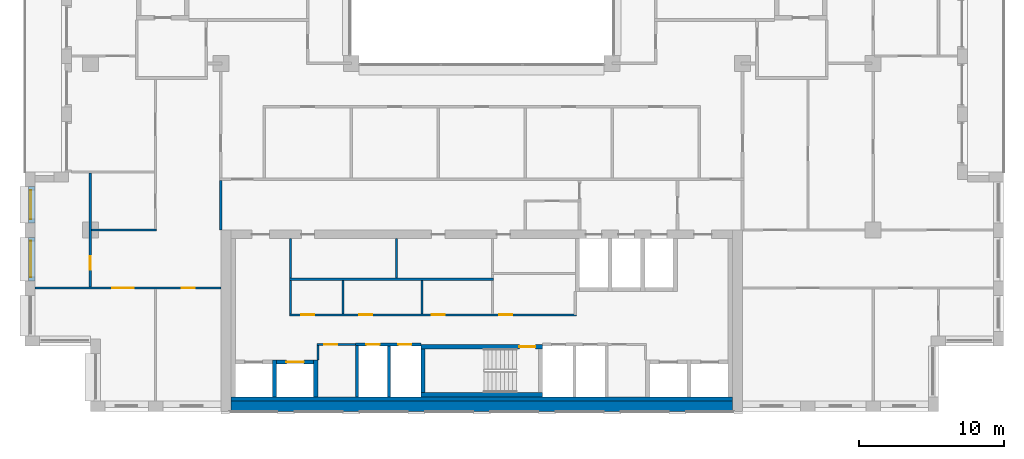
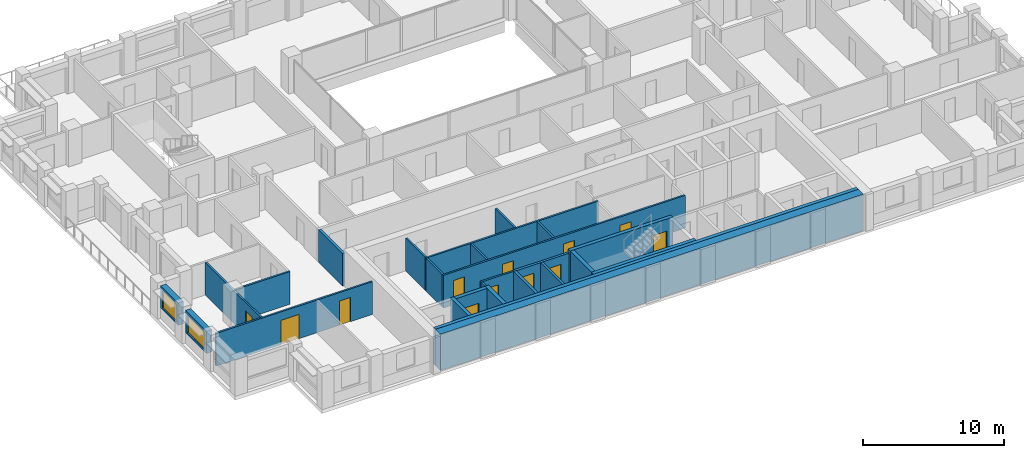
# One storey, part 8 of 16: 26 walls, 12 doors, 2 windows, 14 openings.
"""IFC4 building model written with IfcOpenShell, lengths in metres."""

from ifc_helpers import new_model, si_unit, direction, frame, frame_2d, origin, place, context, subcontext, project, spatial, rectangle, extrude, material, layer, layer_set, type_object, element, fill, save


model = new_model("IFC4")

# Units and contexts
model_context = context("Model", 3, precision=1e-05, world=origin(), true_north=direction((0.0, 1.0)))
body_context = subcontext(model_context, "Body", "Model", "MODEL_VIEW")
ifc_project = project(units=[si_unit("LENGTHUNIT", "METRE"), si_unit("AREAUNIT", "SQUARE_METRE"), si_unit("VOLUMEUNIT", "CUBIC_METRE"), si_unit("PLANEANGLEUNIT", "RADIAN"), si_unit("MASSUNIT", "GRAM", prefix="KILO")], contexts=[model_context])

# Site, building, storey
site_placement = place(None, origin())
site = spatial("IfcSite", under=ifc_project, at=site_placement, CompositionType="ELEMENT")
building_placement = place(site_placement, origin())
building = spatial("IfcBuilding", under=site, at=building_placement, Name="Brigalow Station Residences", CompositionType="ELEMENT")
storey_placement = place(building_placement, frame((0.0, 0.0, 163.35009765625)))
storey = spatial("IfcBuildingStorey", under=building, at=storey_placement, Name="L47", CompositionType="ELEMENT", Elevation=163.35009765625)

# Wall, opening, window
ifc_material_1 = material(Name="Clay brick masonry", Category="masonry")
ifc_layer_1 = layer(ifc_material_1, 0.449951171875)
ifc_layer_set_1 = layer_set([ifc_layer_1], Name="BRICK INFILL WALL 450")
wall_type_1 = type_object("IfcWallType", Name="BRICK INFILL WALL 450", PredefinedType="SOLIDWALL", material=ifc_layer_set_1)
wall_1_placement = place(storey_placement, frame((4.97509765625, 15.5, 0.89990234375), z_axis=(0.0, 0.0, 1.0), x_axis=(0.0, -1.0, 0.0)))
wall_1 = element("IfcWall", 1, at=wall_1_placement, inside=storey, type_object=wall_type_1, Name="L47/ewall/W-L47-45", PredefinedType="SOLIDWALL", context=body_context, shape_type="SweptSolid", body=[
    extrude(rectangle(XDim=2.5, YDim=0.449951171875, at=frame_2d((1.25, 0.0))), origin(), (0.0, 0.0, 1.0), 1.929931640625),
])
opening_1_placement = place(wall_1_placement, frame((0.25, 0.0, 0.14990234375)))
opening_1 = element("IfcOpeningElement", 2, at=opening_1_placement, cuts=wall_1, Name="Opening WT-7", PredefinedType="OPENING", context=body_context, shape_type="SweptSolid", body=[
    extrude(rectangle(XDim=2.0, YDim=1.5, at=frame_2d((1.0, 0.75))), frame((0.0, 0.23486328125, 0.0), z_axis=(0.0, -1.0, 0.0), x_axis=(1.0, 0.0, 0.0)), (0.0, 0.0, 1.0), 0.469970703125),
])
ifc_material_2 = material(Name="Anodised aluminium frame with double glazing", Category="aluminium")
window_type_1 = type_object("IfcWindowType", Name="WINDOW 2000x1500", PartitioningType="SINGLE_PANEL", PredefinedType="WINDOW", material=ifc_material_2)
window_1_placement = place(opening_1_placement, origin())
window_1 = element("IfcWindow", 3, at=window_1_placement, inside=storey, type_object=window_type_1, Name="L47/window/W-L47-45", OverallHeight=1.5, OverallWidth=2.0, PartitioningType="SINGLE_PANEL", PredefinedType="WINDOW", context=body_context, shape_type="SweptSolid", body=[
    extrude(rectangle(XDim=2.0, YDim=1.5, at=frame_2d((1.0, 0.75))), frame((0.0, -0.06494140625, 0.0), z_axis=(0.0, -1.0, 0.0), x_axis=(1.0, 0.0, 0.0)), (0.0, 0.0, 1.0), 0.06005859375),
])
fill(opening_1, window_1)

wall_2_placement = place(storey_placement, frame((4.97509765625, 12.0, 0.89990234375), z_axis=(0.0, 0.0, 1.0), x_axis=(0.0, -1.0, 0.0)))
wall_2 = element("IfcWall", 4, at=wall_2_placement, inside=storey, type_object=wall_type_1, Name="L47/ewall/W-L47-46", PredefinedType="SOLIDWALL", context=body_context, shape_type="SweptSolid", body=[
    extrude(rectangle(XDim=3.0, YDim=0.449951171875, at=frame_2d((1.5, 0.0))), origin(), (0.0, 0.0, 1.0), 1.929931640625),
])
opening_2_placement = place(wall_2_placement, frame((0.25, 0.0, 0.14990234375)))
opening_2 = element("IfcOpeningElement", 5, at=opening_2_placement, cuts=wall_2, Name="Opening WT-5", PredefinedType="OPENING", context=body_context, shape_type="SweptSolid", body=[
    extrude(rectangle(XDim=2.5, YDim=1.5, at=frame_2d((1.25, 0.75))), frame((0.0, 0.23486328125, 0.0), z_axis=(0.0, -1.0, 0.0), x_axis=(1.0, 0.0, 0.0)), (0.0, 0.0, 1.0), 0.469970703125),
])
ifc_material_3 = material(Name="Anodised aluminium frame with double glazing", Category="aluminium")
window_type_2 = type_object("IfcWindowType", Name="WINDOW 2500x1500", PartitioningType="SINGLE_PANEL", PredefinedType="WINDOW", material=ifc_material_3)
window_2_placement = place(opening_2_placement, origin())
window_2 = element("IfcWindow", 6, at=window_2_placement, inside=storey, type_object=window_type_2, Name="L47/window/W-L47-46", OverallHeight=1.5, OverallWidth=2.5, PartitioningType="SINGLE_PANEL", PredefinedType="WINDOW", context=body_context, shape_type="SweptSolid", body=[
    extrude(rectangle(XDim=2.5, YDim=1.5, at=frame_2d((1.25, 0.75))), frame((0.0, -0.06494140625, 0.0), z_axis=(0.0, -1.0, 0.0), x_axis=(1.0, 0.0, 0.0)), (0.0, 0.0, 1.0), 0.06005859375),
])
fill(opening_2, window_2)

# Wall
ifc_material_4 = material(Name="Concrete C65", Category="concrete")
ifc_layer_2 = layer(ifc_material_4, 0.300048828125)
ifc_layer_set_2 = layer_set([ifc_layer_2], Name="CORE SHEAR WALL 300 C65")
wall_type_2 = type_object("IfcWallType", Name="CORE SHEAR WALL 300 C65", PredefinedType="SHEAR", material=ifc_layer_set_2)
wall_3_placement = place(storey_placement, frame((18.699951171875, 0.85009765625, 0.0), z_axis=(0.0, 0.0, 1.0), x_axis=(1.0, 0.0, 0.0)))
element("IfcWall", 7, at=wall_3_placement, inside=storey, type_object=wall_type_2, Name="CORE WALL LIN-S L47", PredefinedType="SHEAR", context=body_context, shape_type="SweptSolid", body=[
    extrude(rectangle(XDim=34.60009765625, YDim=0.300048828125, at=frame_2d((17.300048828125, 0.0))), origin(), (0.0, 0.0, 1.0), 3.14990234375),
])

# Wall, opening, door
wall_4_placement = place(storey_placement, frame((21.85009765625, 3.39990234375, 0.0), z_axis=(0.0, 0.0, 1.0), x_axis=(1.0, 0.0, 0.0)))
wall_4 = element("IfcWall", 8, at=wall_4_placement, inside=storey, type_object=wall_type_2, Name="CORE WALL SH-C2-N L47", PredefinedType="SHEAR", context=body_context, shape_type="SweptSolid", body=[
    extrude(rectangle(XDim=2.5498046875, YDim=0.300048828125, at=frame_2d((1.27490234375, 0.0))), origin(), (0.0, 0.0, 1.0), 3.14990234375),
])
opening_3_placement = place(wall_4_placement, frame((0.675048828125, 0.0, 0.0)))
opening_3 = element("IfcOpeningElement", 9, at=opening_3_placement, cuts=wall_4, Name="Opening LD-LB2", PredefinedType="OPENING", context=body_context, shape_type="SweptSolid", body=[
    extrude(rectangle(XDim=1.199951171875, YDim=2.10009765625, at=frame_2d((0.60009765625, 1.050048828125))), frame((0.0, 0.16015625, 0.0), z_axis=(0.0, -1.0, 0.0), x_axis=(1.0, 0.0, 0.0)), (0.0, 0.0, 1.0), 0.320068359375),
])
ifc_material_5 = material(Name="Stainless steel sliding door leaves", Category="steel")
door_type_1 = type_object("IfcDoorType", Name="LIFT LANDING DOOR 1200 x 2100", OperationType="DOUBLE_DOOR_SLIDING", PredefinedType="DOOR", material=ifc_material_5)
door_1_placement = place(opening_3_placement, origin())
door_1 = element("IfcDoor", 10, at=door_1_placement, inside=storey, type_object=door_type_1, Name="LANDING DOOR LB2", OperationType="DOUBLE_DOOR_SLIDING", OverallHeight=2.10009765625, OverallWidth=1.199951171875, PredefinedType="DOOR", context=body_context, shape_type="SweptSolid", body=[
    extrude(rectangle(XDim=1.199951171875, YDim=2.10009765625, at=frame_2d((0.60009765625, 1.050048828125))), frame((0.0, 0.02490234375, 0.0), z_axis=(0.0, -1.0, 0.0), x_axis=(1.0, 0.0, 0.0)), (0.0, 0.0, 1.0), 0.050048828125),
])
fill(opening_3, door_1)

# Walls
for number, where, z_axis, x_axis, name in (
    (11, (21.699951171875, 1.0, 0.0), (0.0, 0.0, 1.0), (0.0, 1.0, 0.0), "CORE WALL SH-C2-W L47"),
    (12, (24.550048828125, 1.0, 0.0), (0.0, 0.0, 1.0), (0.0, 1.0, 0.0), "CORE WALL SH-C2-E L47"),
):
    element("IfcWall", number, at=place(storey_placement, frame(where, z_axis=z_axis, x_axis=x_axis)), inside=storey, type_object=wall_type_2, Name=name, PredefinedType="SHEAR", context=body_context, shape_type="SweptSolid", body=[
        extrude(rectangle(XDim=2.550048828125, YDim=0.300048828125, at=frame_2d((1.27490234375, 0.0))), origin(), (0.0, 0.0, 1.0), 3.14990234375),
    ])
wall_5_placement = place(storey_placement, frame((31.800048828125, 1.14990234375, 0.0), z_axis=(0.0, 0.0, 1.0), x_axis=(1.0, 0.0, 0.0)))
element("IfcWall", 13, at=wall_5_placement, inside=storey, type_object=wall_type_2, Name="CORE WALL ST-S2-S L47", PredefinedType="SHEAR", context=body_context, shape_type="SweptSolid", body=[
    extrude(rectangle(XDim=8.39990234375, YDim=0.300048828125, at=frame_2d((4.199951171875, 0.0))), origin(), (0.0, 0.0, 1.0), 3.14990234375),
])

# Wall, opening, door
wall_6_placement = place(storey_placement, frame((31.800048828125, 4.449951171875, 0.0), z_axis=(0.0, 0.0, 1.0), x_axis=(1.0, 0.0, 0.0)))
wall_6 = element("IfcWall", 14, at=wall_6_placement, inside=storey, type_object=wall_type_2, Name="CORE WALL ST-S2-N L47", PredefinedType="SHEAR", context=body_context, shape_type="SweptSolid", body=[
    extrude(rectangle(XDim=8.39990234375, YDim=0.300048828125, at=frame_2d((4.199951171875, 0.0))), origin(), (0.0, 0.0, 1.0), 3.14990234375),
])
opening_4_placement = place(wall_6_placement, frame((6.800048828125, 0.0, 0.0)))
opening_4 = element("IfcOpeningElement", 15, at=opening_4_placement, cuts=wall_6, Name="Opening D-5001", PredefinedType="OPENING", context=body_context, shape_type="SweptSolid", body=[
    extrude(rectangle(XDim=1.10009765625, YDim=2.10009765625, at=frame_2d((0.550048828125, 1.050048828125))), frame((0.0, 0.16015625, 0.0), z_axis=(0.0, -1.0, 0.0), x_axis=(1.0, 0.0, 0.0)), (0.0, 0.0, 1.0), 0.320068359375),
])
ifc_material_6 = material(Name="Steel fire door leaf in steel frame", Category="steel")
door_type_2 = type_object("IfcDoorType", Name="STAIR DOOR 1100 x 2100 FD60S", OperationType="SINGLE_SWING_LEFT", PredefinedType="DOOR", material=ifc_material_6)
door_2_placement = place(opening_4_placement, frame((1.10009765625, 0.0, 0.0), z_axis=(0.0, 0.0, 1.0), x_axis=(-1.0, 0.0, 0.0)))
door_2 = element("IfcDoor", 16, at=door_2_placement, inside=storey, type_object=door_type_2, Name="D-5001", OperationType="SINGLE_SWING_LEFT", OverallHeight=2.10009765625, OverallWidth=1.10009765625, PredefinedType="DOOR", context=body_context, shape_type="SweptSolid", body=[
    extrude(rectangle(XDim=1.10009765625, YDim=2.10009765625, at=frame_2d((0.550048828125, 1.050048828125))), frame((0.0, 0.02490234375, 0.0), z_axis=(0.0, -1.0, 0.0), x_axis=(1.0, 0.0, 0.0)), (0.0, 0.0, 1.0), 0.050048828125),
])
fill(opening_4, door_2)

# Walls
wall_7_placement = place(storey_placement, frame((31.949951171875, 1.300048828125, 0.0), z_axis=(0.0, 0.0, 1.0), x_axis=(0.0, 1.0, 0.0)))
element("IfcWall", 17, at=wall_7_placement, inside=storey, type_object=wall_type_2, Name="CORE WALL ST-S2-W L47", PredefinedType="SHEAR", context=body_context, shape_type="SweptSolid", body=[
    extrude(rectangle(XDim=3.0, YDim=0.300048828125, at=frame_2d((1.5, 0.0))), origin(), (0.0, 0.0, 1.0), 3.14990234375),
])
ifc_material_7 = material(Name="Concrete C65", Category="concrete")
ifc_layer_3 = layer(ifc_material_7, 0.699951171875)
ifc_layer_set_3 = layer_set([ifc_layer_3], Name="CORE SHEAR WALL 700 C65")
wall_type_3 = type_object("IfcWallType", Name="CORE SHEAR WALL 700 C65", PredefinedType="SHEAR", material=ifc_layer_set_3)
wall_8_placement = place(storey_placement, frame((18.699951171875, 0.35009765625, 0.0), z_axis=(0.0, 0.0, 1.0), x_axis=(1.0, 0.0, 0.0)))
element("IfcWall", 18, at=wall_8_placement, inside=storey, type_object=wall_type_3, Name="CORE WALL OUT-S L47", PredefinedType="SHEAR", context=body_context, shape_type="SweptSolid", body=[
    extrude(rectangle(XDim=34.60009765625, YDim=0.699951171875, at=frame_2d((17.300048828125, 0.0))), origin(), (0.0, 0.0, 1.0), 3.14990234375),
])

# Wall, openings, doors
ifc_material_8 = material(Name="Concrete blockwork", Category="masonry")
ifc_layer_4 = layer(ifc_material_8, 0.199951171875)
ifc_layer_set_4 = layer_set([ifc_layer_4], Name="FIRE RATED CORE PARTITION 200")
wall_type_4 = type_object("IfcWallType", Name="FIRE RATED CORE PARTITION 200", PredefinedType="PARTITIONING", material=ifc_layer_set_4)
wall_9_placement = place(storey_placement, frame((27.300048828125, 4.60009765625, 0.0), z_axis=(0.0, 0.0, 1.0), x_axis=(1.0, 0.0, 0.0)))
wall_9 = element("IfcWall", 19, at=wall_9_placement, inside=storey, type_object=wall_type_4, Name="PW-5017", PredefinedType="PARTITIONING", context=body_context, shape_type="SweptSolid", body=[
    extrude(rectangle(XDim=4.5, YDim=0.199951171875, at=frame_2d((2.25, 0.0))), origin(), (0.0, 0.0, 1.0), 2.829833984375),
])
opening_5_placement = place(wall_9_placement, frame((0.75, 0.0, 0.0)))
opening_5 = element("IfcOpeningElement", 20, at=opening_5_placement, cuts=wall_9, Name="Opening D-5007", PredefinedType="OPENING", context=body_context, shape_type="SweptSolid", body=[
    extrude(rectangle(XDim=0.89990234375, YDim=2.10009765625, at=frame_2d((0.449951171875, 1.050048828125))), frame((0.0, 0.10986328125, 0.0), z_axis=(0.0, -1.0, 0.0), x_axis=(1.0, 0.0, 0.0)), (0.0, 0.0, 1.0), 0.219970703125),
])
opening_6_placement = place(wall_9_placement, frame((2.949951171875, 0.0, 0.0)))
opening_6 = element("IfcOpeningElement", 21, at=opening_6_placement, cuts=wall_9, Name="Opening D-5008", PredefinedType="OPENING", context=body_context, shape_type="SweptSolid", body=[
    extrude(rectangle(XDim=0.89990234375, YDim=2.10009765625, at=frame_2d((0.449951171875, 1.050048828125))), frame((0.0, 0.10986328125, 0.0), z_axis=(0.0, -1.0, 0.0), x_axis=(1.0, 0.0, 0.0)), (0.0, 0.0, 1.0), 0.219970703125),
])
ifc_material_9 = material(Name="Steel fire door leaf in steel frame", Category="steel")
door_type_3 = type_object("IfcDoorType", Name="RISER ACCESS DOOR 900 x 2100 FD120", OperationType="SINGLE_SWING_LEFT", PredefinedType="DOOR", material=ifc_material_9)
door_3_placement = place(opening_5_placement, frame((0.89990234375, 0.0, 0.0), z_axis=(0.0, 0.0, 1.0), x_axis=(-1.0, 0.0, 0.0)))
door_3 = element("IfcDoor", 22, at=door_3_placement, inside=storey, type_object=door_type_3, Name="D-5007", OperationType="SINGLE_SWING_RIGHT", OverallHeight=2.10009765625, OverallWidth=0.89990234375, PredefinedType="DOOR", context=body_context, shape_type="SweptSolid", body=[
    extrude(rectangle(XDim=0.89990234375, YDim=2.10009765625, at=frame_2d((0.449951171875, 1.050048828125))), frame((0.0, 0.02490234375, 0.0), z_axis=(0.0, -1.0, 0.0), x_axis=(1.0, 0.0, 0.0)), (0.0, 0.0, 1.0), 0.050048828125),
])
fill(opening_5, door_3)
door_4_placement = place(opening_6_placement, frame((0.89990234375, 0.0, 0.0), z_axis=(0.0, 0.0, 1.0), x_axis=(-1.0, 0.0, 0.0)))
door_4 = element("IfcDoor", 23, at=door_4_placement, inside=storey, type_object=door_type_3, Name="D-5008", OperationType="SINGLE_SWING_RIGHT", OverallHeight=2.10009765625, OverallWidth=0.89990234375, PredefinedType="DOOR", context=body_context, shape_type="SweptSolid", body=[
    extrude(rectangle(XDim=0.89990234375, YDim=2.10009765625, at=frame_2d((0.449951171875, 1.050048828125))), frame((0.0, 0.02490234375, 0.0), z_axis=(0.0, -1.0, 0.0), x_axis=(1.0, 0.0, 0.0)), (0.0, 0.0, 1.0), 0.050048828125),
])
fill(opening_6, door_4)

# Walls
wall_10_placement = place(storey_placement, frame((27.39990234375, 1.0, 0.0), z_axis=(0.0, 0.0, 1.0), x_axis=(0.0, 1.0, 0.0)))
element("IfcWall", 24, at=wall_10_placement, inside=storey, type_object=wall_type_4, Name="PW-5027", PredefinedType="PARTITIONING", context=body_context, shape_type="SweptSolid", body=[
    extrude(rectangle(XDim=3.52490234375, YDim=0.199951171875, at=frame_2d((1.762451171875, 0.0))), origin(), (0.0, 0.0, 1.0), 2.829833984375),
])
wall_11_placement = place(storey_placement, frame((29.60009765625, 1.0, 0.0), z_axis=(0.0, 0.0, 1.0), x_axis=(0.0, 1.0, 0.0)))
element("IfcWall", 25, at=wall_11_placement, inside=storey, type_object=wall_type_4, Name="PW-5006", PredefinedType="PARTITIONING", context=body_context, shape_type="SweptSolid", body=[
    extrude(rectangle(XDim=3.5, YDim=0.199951171875, at=frame_2d((1.75, 0.0))), origin(), (0.0, 0.0, 1.0), 2.829833984375),
])
wall_12_placement = place(storey_placement, frame((18.0, 12.5, 0.0), z_axis=(0.0, 0.0, 1.0), x_axis=(0.0, 1.0, 0.0)))
element("IfcWall", 26, at=wall_12_placement, inside=storey, type_object=wall_type_4, Name="PW-5013", PredefinedType="PARTITIONING", context=body_context, shape_type="SweptSolid", body=[
    extrude(rectangle(XDim=3.39990234375, YDim=0.199951171875, at=frame_2d((1.699951171875, 0.0))), origin(), (0.0, 0.0, 1.0), 2.829833984375),
])

# Wall, openings, doors
ifc_material_10 = material(Name="Plasterboard on steel stud partition", Category="steel")
ifc_layer_5 = layer(ifc_material_10, 0.14990234375)
ifc_layer_set_5 = layer_set([ifc_layer_5], Name="FLAT PARTITION 150")
wall_type_5 = type_object("IfcWallType", Name="FLAT PARTITION 150", PredefinedType="PARTITIONING", material=ifc_layer_set_5)
wall_13_placement = place(storey_placement, frame((5.199951171875, 8.5, 0.0), z_axis=(0.0, 0.0, 1.0), x_axis=(1.0, 0.0, 0.0)))
wall_13 = element("IfcWall", 27, at=wall_13_placement, inside=storey, type_object=wall_type_5, Name="PW-3C09", PredefinedType="PARTITIONING", context=body_context, shape_type="SweptSolid", body=[
    extrude(rectangle(XDim=12.800048828125, YDim=0.14990234375, at=frame_2d((6.39990234375, 0.0))), origin(), (0.0, 0.0, 1.0), 2.829833984375),
])
opening_7_placement = place(wall_13_placement, frame((10.10009765625, 0.0, 0.0)))
opening_7 = element("IfcOpeningElement", 28, at=opening_7_placement, cuts=wall_13, Name="Opening D-3C04", PredefinedType="OPENING", context=body_context, shape_type="SweptSolid", body=[
    extrude(rectangle(XDim=0.89990234375, YDim=2.10009765625, at=frame_2d((0.449951171875, 1.050048828125))), frame((0.0, 0.0849609375, 0.0), z_axis=(0.0, -1.0, 0.0), x_axis=(1.0, 0.0, 0.0)), (0.0, 0.0, 1.0), 0.169921875),
])
opening_8_placement = place(wall_13_placement, frame((5.300048828125, 0.0, 0.0)))
opening_8 = element("IfcOpeningElement", 29, at=opening_8_placement, cuts=wall_13, Name="Opening D-3C07", PredefinedType="OPENING", context=body_context, shape_type="SweptSolid", body=[
    extrude(rectangle(XDim=1.5, YDim=2.10009765625, at=frame_2d((0.75, 1.050048828125))), frame((0.0, 0.0849609375, 0.0), z_axis=(0.0, -1.0, 0.0), x_axis=(1.0, 0.0, 0.0)), (0.0, 0.0, 1.0), 0.169921875),
])
ifc_material_11 = material(Name="Solid-core timber door leaf", Category="wood")
door_type_4 = type_object("IfcDoorType", Name="INTERNAL DOOR 900 x 2100", OperationType="SINGLE_SWING_LEFT", PredefinedType="DOOR", material=ifc_material_11)
door_5_placement = place(opening_7_placement, frame((0.89990234375, 0.0, 0.0), z_axis=(0.0, 0.0, 1.0), x_axis=(-1.0, 0.0, 0.0)))
door_5 = element("IfcDoor", 30, at=door_5_placement, inside=storey, type_object=door_type_4, Name="D-3C04", OperationType="SINGLE_SWING_RIGHT", OverallHeight=2.10009765625, OverallWidth=0.89990234375, PredefinedType="DOOR", context=body_context, shape_type="SweptSolid", body=[
    extrude(rectangle(XDim=0.89990234375, YDim=2.10009765625, at=frame_2d((0.449951171875, 1.050048828125))), frame((0.0, 0.02490234375, 0.0), z_axis=(0.0, -1.0, 0.0), x_axis=(1.0, 0.0, 0.0)), (0.0, 0.0, 1.0), 0.050048828125),
])
fill(opening_7, door_5)
ifc_material_12 = material(Name="Solid-core timber door leaf", Category="wood")
door_type_5 = type_object("IfcDoorType", Name="INTERNAL DOUBLE DOOR 1500 x 2100", OperationType="DOUBLE_DOOR_SINGLE_SWING", PredefinedType="DOOR", material=ifc_material_12)
door_6_placement = place(opening_8_placement, frame((1.5, 0.0, 0.0), z_axis=(0.0, 0.0, 1.0), x_axis=(-1.0, 0.0, 0.0)))
door_6 = element("IfcDoor", 31, at=door_6_placement, inside=storey, type_object=door_type_5, Name="D-3C07", OperationType="DOUBLE_DOOR_SINGLE_SWING", OverallHeight=2.10009765625, OverallWidth=1.5, PredefinedType="DOOR", context=body_context, shape_type="SweptSolid", body=[
    extrude(rectangle(XDim=1.5, YDim=2.10009765625, at=frame_2d((0.75, 1.050048828125))), frame((0.0, 0.02490234375, 0.0), z_axis=(0.0, -1.0, 0.0), x_axis=(1.0, 0.0, 0.0)), (0.0, 0.0, 1.0), 0.050048828125),
])
fill(opening_8, door_6)

# Wall
wall_14_placement = place(storey_placement, frame((9.074951171875, 12.5, 0.0), z_axis=(0.0, 0.0, 1.0), x_axis=(1.0, 0.0, 0.0)))
element("IfcWall", 32, at=wall_14_placement, inside=storey, type_object=wall_type_5, Name="PW-3C12", PredefinedType="PARTITIONING", context=body_context, shape_type="SweptSolid", body=[
    extrude(rectangle(XDim=4.5, YDim=0.14990234375, at=frame_2d((2.25, 0.0))), origin(), (0.0, 0.0, 1.0), 2.829833984375),
])

# Wall, opening, door
wall_15_placement = place(storey_placement, frame((9.0, 8.574951171875, 0.0), z_axis=(0.0, 0.0, 1.0), x_axis=(0.0, 1.0, 0.0)))
wall_15 = element("IfcWall", 33, at=wall_15_placement, inside=storey, type_object=wall_type_5, Name="PW-3C39", PredefinedType="PARTITIONING", context=body_context, shape_type="SweptSolid", body=[
    extrude(rectangle(XDim=7.85009765625, YDim=0.14990234375, at=frame_2d((3.925048828125, 0.0))), origin(), (0.0, 0.0, 1.0), 2.829833984375),
])
opening_9_placement = place(wall_15_placement, frame((1.199951171875, 0.0, 0.0)))
opening_9 = element("IfcOpeningElement", 34, at=opening_9_placement, cuts=wall_15, Name="Opening D-3C05", PredefinedType="OPENING", context=body_context, shape_type="SweptSolid", body=[
    extrude(rectangle(XDim=0.89990234375, YDim=2.10009765625, at=frame_2d((0.449951171875, 1.050048828125))), frame((0.0, 0.0849609375, 0.0), z_axis=(0.0, -1.0, 0.0), x_axis=(1.0, 0.0, 0.0)), (0.0, 0.0, 1.0), 0.169921875),
])
door_7_placement = place(opening_9_placement, origin())
door_7 = element("IfcDoor", 35, at=door_7_placement, inside=storey, type_object=door_type_4, Name="D-3C05", OperationType="SINGLE_SWING_LEFT", OverallHeight=2.10009765625, OverallWidth=0.89990234375, PredefinedType="DOOR", context=body_context, shape_type="SweptSolid", body=[
    extrude(rectangle(XDim=0.89990234375, YDim=2.10009765625, at=frame_2d((0.449951171875, 1.050048828125))), frame((0.0, 0.02490234375, 0.0), z_axis=(0.0, -1.0, 0.0), x_axis=(1.0, 0.0, 0.0)), (0.0, 0.0, 1.0), 0.050048828125),
])
fill(opening_9, door_7)

ifc_material_13 = material(Name="Plasterboard on steel studs", Category="steel")
ifc_layer_6 = layer(ifc_material_13, 0.14990234375)
ifc_layer_set_6 = layer_set([ifc_layer_6], Name="SERVICE ROOM PARTITION 150")
wall_type_6 = type_object("IfcWallType", Name="SERVICE ROOM PARTITION 150", PredefinedType="PARTITIONING", material=ifc_layer_set_6)
wall_16_placement = place(storey_placement, frame((24.625, 4.60009765625, 0.0), z_axis=(0.0, 0.0, 1.0), x_axis=(1.0, 0.0, 0.0)))
wall_16 = element("IfcWall", 36, at=wall_16_placement, inside=storey, type_object=wall_type_6, Name="PW-5155", PredefinedType="PARTITIONING", context=body_context, shape_type="SweptSolid", body=[
    extrude(rectangle(XDim=2.675048828125, YDim=0.14990234375, at=frame_2d((1.33740234375, 0.0))), origin(), (0.0, 0.0, 1.0), 2.829833984375),
])
opening_10_placement = place(wall_16_placement, frame((0.52490234375, 0.0, 0.0)))
opening_10 = element("IfcOpeningElement", 37, at=opening_10_placement, cuts=wall_16, Name="Opening D-5087", PredefinedType="OPENING", context=body_context, shape_type="SweptSolid", body=[
    extrude(rectangle(XDim=0.89990234375, YDim=2.10009765625, at=frame_2d((0.449951171875, 1.050048828125))), frame((0.0, 0.0849609375, 0.0), z_axis=(0.0, -1.0, 0.0), x_axis=(1.0, 0.0, 0.0)), (0.0, 0.0, 1.0), 0.169921875),
])
ifc_material_14 = material(Name="Steel door leaf in steel frame", Category="steel")
door_type_6 = type_object("IfcDoorType", Name="SERVICE ROOM DOOR 900 x 2100 FD60", OperationType="SINGLE_SWING_LEFT", PredefinedType="DOOR", material=ifc_material_14)
door_8_placement = place(opening_10_placement, frame((0.89990234375, 0.0, 0.0), z_axis=(0.0, 0.0, 1.0), x_axis=(-1.0, 0.0, 0.0)))
door_8 = element("IfcDoor", 38, at=door_8_placement, inside=storey, type_object=door_type_6, Name="D-5087", OperationType="SINGLE_SWING_RIGHT", OverallHeight=2.10009765625, OverallWidth=0.89990234375, PredefinedType="DOOR", context=body_context, shape_type="SweptSolid", body=[
    extrude(rectangle(XDim=0.89990234375, YDim=2.10009765625, at=frame_2d((0.449951171875, 1.050048828125))), frame((0.0, 0.02490234375, 0.0), z_axis=(0.0, -1.0, 0.0), x_axis=(1.0, 0.0, 0.0)), (0.0, 0.0, 1.0), 0.050048828125),
])
fill(opening_10, door_8)

# Wall, openings, doors
wall_17_placement = place(storey_placement, frame((22.72509765625, 6.64990234375, 0.0), z_axis=(0.0, 0.0, 1.0), x_axis=(1.0, 0.0, 0.0)))
wall_17 = element("IfcWall", 39, at=wall_17_placement, inside=storey, type_object=wall_type_6, Name="PW-5195", PredefinedType="PARTITIONING", context=body_context, shape_type="SweptSolid", body=[
    extrude(rectangle(XDim=19.7998046875, YDim=0.14990234375, at=frame_2d((9.89990234375, 0.0))), origin(), (0.0, 0.0, 1.0), 2.829833984375),
])
opening_11_placement = place(wall_17_placement, frame((0.824951171875, 0.0, 0.0)))
opening_11 = element("IfcOpeningElement", 40, at=opening_11_placement, cuts=wall_17, Name="Opening D-5110", PredefinedType="OPENING", context=body_context, shape_type="SweptSolid", body=[
    extrude(rectangle(XDim=0.89990234375, YDim=2.10009765625, at=frame_2d((0.449951171875, 1.050048828125))), frame((0.0, 0.0849609375, 0.0), z_axis=(0.0, -1.0, 0.0), x_axis=(1.0, 0.0, 0.0)), (0.0, 0.0, 1.0), 0.169921875),
])
opening_12_placement = place(wall_17_placement, frame((4.824951171875, 0.0, 0.0)))
opening_12 = element("IfcOpeningElement", 41, at=opening_12_placement, cuts=wall_17, Name="Opening D-5116", PredefinedType="OPENING", context=body_context, shape_type="SweptSolid", body=[
    extrude(rectangle(XDim=0.89990234375, YDim=2.10009765625, at=frame_2d((0.449951171875, 1.050048828125))), frame((0.0, 0.0849609375, 0.0), z_axis=(0.0, -1.0, 0.0), x_axis=(1.0, 0.0, 0.0)), (0.0, 0.0, 1.0), 0.169921875),
])
opening_13_placement = place(wall_17_placement, frame((9.824951171875, 0.0, 0.0)))
opening_13 = element("IfcOpeningElement", 42, at=opening_13_placement, cuts=wall_17, Name="Opening D-5117", PredefinedType="OPENING", context=body_context, shape_type="SweptSolid", body=[
    extrude(rectangle(XDim=0.89990234375, YDim=2.10009765625, at=frame_2d((0.449951171875, 1.050048828125))), frame((0.0, 0.0849609375, 0.0), z_axis=(0.0, -1.0, 0.0), x_axis=(1.0, 0.0, 0.0)), (0.0, 0.0, 1.0), 0.169921875),
])
opening_14_placement = place(wall_17_placement, frame((14.47509765625, 0.0, 0.0)))
opening_14 = element("IfcOpeningElement", 43, at=opening_14_placement, cuts=wall_17, Name="Opening D-5114", PredefinedType="OPENING", context=body_context, shape_type="SweptSolid", body=[
    extrude(rectangle(XDim=0.89990234375, YDim=2.10009765625, at=frame_2d((0.449951171875, 1.050048828125))), frame((0.0, 0.0849609375, 0.0), z_axis=(0.0, -1.0, 0.0), x_axis=(1.0, 0.0, 0.0)), (0.0, 0.0, 1.0), 0.169921875),
])
door_9_placement = place(opening_11_placement, origin())
door_9 = element("IfcDoor", 44, at=door_9_placement, inside=storey, type_object=door_type_6, Name="D-5110", OperationType="SINGLE_SWING_LEFT", OverallHeight=2.10009765625, OverallWidth=0.89990234375, PredefinedType="DOOR", context=body_context, shape_type="SweptSolid", body=[
    extrude(rectangle(XDim=0.89990234375, YDim=2.10009765625, at=frame_2d((0.449951171875, 1.050048828125))), frame((0.0, 0.02490234375, 0.0), z_axis=(0.0, -1.0, 0.0), x_axis=(1.0, 0.0, 0.0)), (0.0, 0.0, 1.0), 0.050048828125),
])
fill(opening_11, door_9)
door_10_placement = place(opening_12_placement, origin())
door_10 = element("IfcDoor", 45, at=door_10_placement, inside=storey, type_object=door_type_6, Name="D-5116", OperationType="SINGLE_SWING_LEFT", OverallHeight=2.10009765625, OverallWidth=0.89990234375, PredefinedType="DOOR", context=body_context, shape_type="SweptSolid", body=[
    extrude(rectangle(XDim=0.89990234375, YDim=2.10009765625, at=frame_2d((0.449951171875, 1.050048828125))), frame((0.0, 0.02490234375, 0.0), z_axis=(0.0, -1.0, 0.0), x_axis=(1.0, 0.0, 0.0)), (0.0, 0.0, 1.0), 0.050048828125),
])
fill(opening_12, door_10)
door_11_placement = place(opening_13_placement, origin())
door_11 = element("IfcDoor", 46, at=door_11_placement, inside=storey, type_object=door_type_6, Name="D-5117", OperationType="SINGLE_SWING_LEFT", OverallHeight=2.10009765625, OverallWidth=0.89990234375, PredefinedType="DOOR", context=body_context, shape_type="SweptSolid", body=[
    extrude(rectangle(XDim=0.89990234375, YDim=2.10009765625, at=frame_2d((0.449951171875, 1.050048828125))), frame((0.0, 0.02490234375, 0.0), z_axis=(0.0, -1.0, 0.0), x_axis=(1.0, 0.0, 0.0)), (0.0, 0.0, 1.0), 0.050048828125),
])
fill(opening_13, door_11)
door_12_placement = place(opening_14_placement, origin())
door_12 = element("IfcDoor", 47, at=door_12_placement, inside=storey, type_object=door_type_6, Name="D-5114", OperationType="SINGLE_SWING_LEFT", OverallHeight=2.10009765625, OverallWidth=0.89990234375, PredefinedType="DOOR", context=body_context, shape_type="SweptSolid", body=[
    extrude(rectangle(XDim=0.89990234375, YDim=2.10009765625, at=frame_2d((0.449951171875, 1.050048828125))), frame((0.0, 0.02490234375, 0.0), z_axis=(0.0, -1.0, 0.0), x_axis=(1.0, 0.0, 0.0)), (0.0, 0.0, 1.0), 0.050048828125),
])
fill(opening_14, door_12)

# Walls
wall_18_placement = place(storey_placement, frame((22.72509765625, 9.110107421875, 0.0), z_axis=(0.0, 0.0, 1.0), x_axis=(1.0, 0.0, 0.0)))
element("IfcWall", 48, at=wall_18_placement, inside=storey, type_object=wall_type_6, Name="PW-5214", PredefinedType="PARTITIONING", context=body_context, shape_type="SweptSolid", body=[
    extrude(rectangle(XDim=14.099853515625, YDim=0.14990234375, at=frame_2d((7.0498046875, 0.0))), origin(), (0.0, 0.0, 1.0), 2.829833984375),
])
wall_19_placement = place(storey_placement, frame((24.699951171875, 3.550048828125, 0.0), z_axis=(0.0, 0.0, 1.0), x_axis=(0.0, 1.0, 0.0)))
element("IfcWall", 49, at=wall_19_placement, inside=storey, type_object=wall_type_6, Name="PW-5157", PredefinedType="PARTITIONING", context=body_context, shape_type="SweptSolid", body=[
    extrude(rectangle(XDim=0.974853515625, YDim=0.14990234375, at=frame_2d((0.4873046875, 0.0))), origin(), (0.0, 0.0, 1.0), 2.829833984375),
])
for number, where, z_axis, x_axis, name in (
    (50, (22.800048828125, 6.72509765625, 0.0), (0.0, 0.0, 1.0), (0.0, 1.0, 0.0), "PW-5216"),
    (51, (26.429931640625, 6.72509765625, 0.0), (0.0, 0.0, 1.0), (0.0, 1.0, 0.0), "PW-5217"),
    (52, (31.8701171875, 6.72509765625, 0.0), (0.0, 0.0, 1.0), (0.0, 1.0, 0.0), "PW-5218"),
):
    element("IfcWall", number, at=place(storey_placement, frame(where, z_axis=z_axis, x_axis=x_axis)), inside=storey, type_object=wall_type_6, Name=name, PredefinedType="PARTITIONING", context=body_context, shape_type="SweptSolid", body=[
        extrude(rectangle(XDim=2.309814453125, YDim=0.14990234375, at=frame_2d((1.15478515625, 0.0))), origin(), (0.0, 0.0, 1.0), 2.829833984375),
    ])
for number, where, z_axis, x_axis, name in (
    (53, (22.800048828125, 9.18505859375, 0.0), (0.0, 0.0, 1.0), (0.0, 1.0, 0.0), "PW-5220"),
    (54, (30.1201171875, 9.18505859375, 0.0), (0.0, 0.0, 1.0), (0.0, 1.0, 0.0), "PW-5221"),
):
    element("IfcWall", number, at=place(storey_placement, frame(where, z_axis=z_axis, x_axis=x_axis)), inside=storey, type_object=wall_type_6, Name=name, PredefinedType="PARTITIONING", context=body_context, shape_type="SweptSolid", body=[
        extrude(rectangle(XDim=2.71484375, YDim=0.14990234375, at=frame_2d((1.357421875, 0.0))), origin(), (0.0, 0.0, 1.0), 2.829833984375),
    ])

save(model, "model.ifc")
